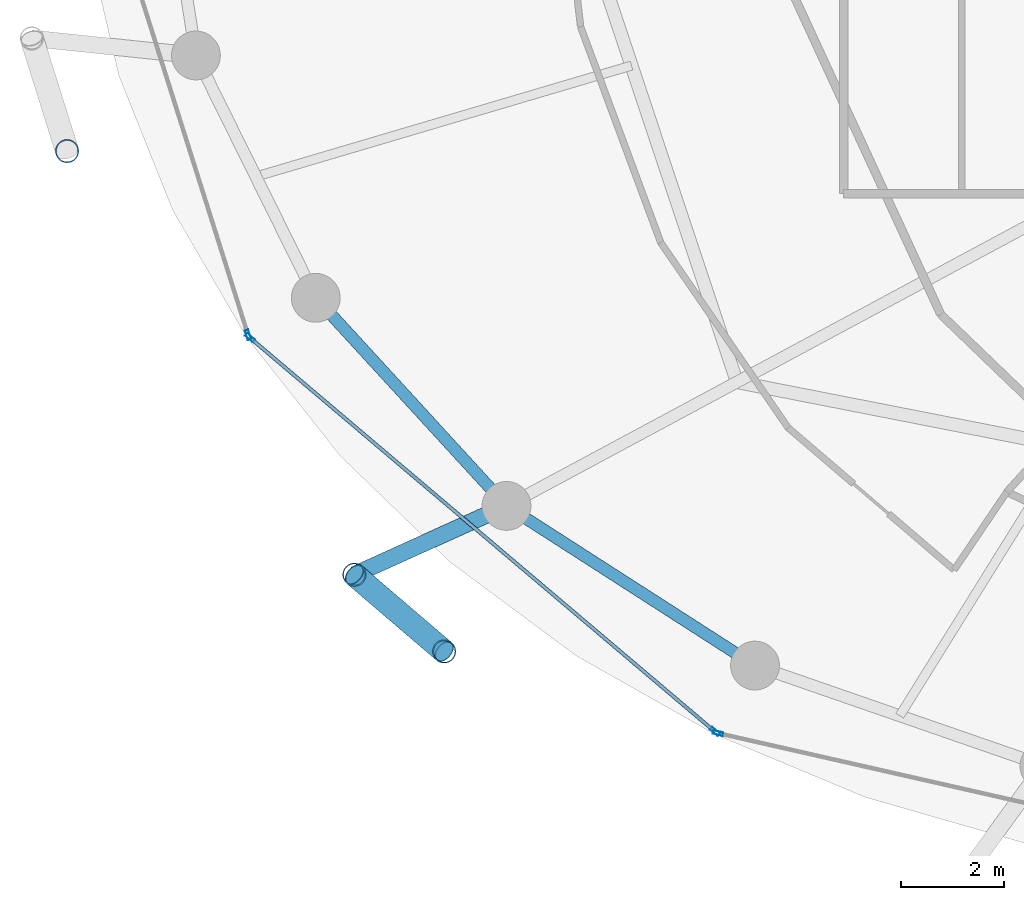
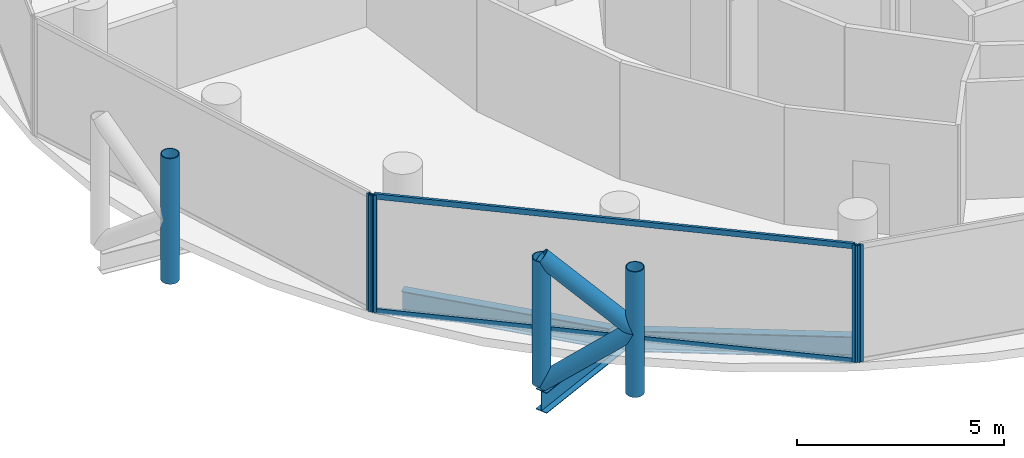
# One storey, part 2 of 26: 11 members, 3 beams, 3 elements without a shape of their own.
"""IFC4 building model written with IfcOpenShell, lengths in metres."""

from ifc_helpers import new_model, si_unit, direction, frame, origin, origin_2d, place, context, subcontext, project, spatial, hollow_rectangle, hollow_circle, i_section, extrude, material, layer, layer_set, material_profile, profile_set, type_object, element, aggregate, save


model = new_model("IFC4")

# Units and contexts
model_context = context("Model", 3, precision=1e-05, world=origin(), true_north=direction((0.0, 1.0)))
body_context = subcontext(model_context, "Body", "Model", "MODEL_VIEW")
ifc_project = project(units=[si_unit("LENGTHUNIT", "METRE"), si_unit("AREAUNIT", "SQUARE_METRE"), si_unit("VOLUMEUNIT", "CUBIC_METRE"), si_unit("PLANEANGLEUNIT", "RADIAN"), si_unit("MASSUNIT", "GRAM", prefix="KILO")], contexts=[model_context])

# Site, building, storey
site_placement = place(None, origin())
site = spatial("IfcSite", under=ifc_project, at=site_placement, CompositionType="ELEMENT")
building_placement = place(site_placement, origin())
building = spatial("IfcBuilding", under=site, at=building_placement, Name="Nuhasar Tower", CompositionType="ELEMENT")
storey_placement = place(building_placement, frame((0.0, 0.0, 177.449951171875)))
storey = spatial("IfcBuildingStorey", under=building, at=storey_placement, Name="L43", CompositionType="ELEMENT", Elevation=177.449951171875)

# Beams
ifc_material_1 = material(Name="Steel S355", Category="steel")
ifc_material_profile_1 = material_profile(ifc_material_1, i_section(OverallWidth=0.22998046875, OverallDepth=0.616943359375, WebThickness=0.01318359375, FlangeThickness=0.022216796875, at=origin_2d()), Name="W24X94")
ifc_profile_set_1 = profile_set([ifc_material_profile_1], Name="Steel S355")
beam_type_1 = type_object("IfcBeamType", Name="BM-RING-W24X94", PredefinedType="SPANDREL", material=ifc_profile_set_1)
beam_1_placement = place(storey_placement, frame((18.778076171875, 17.02490234375, -0.558837890625), z_axis=(0.675676316545, -0.737198423262, 0.0), x_axis=(0.737198423262, 0.675676316545, 0.0)))
element("IfcBeam", 1, at=beam_1_placement, inside=storey, type_object=beam_type_1, Name="L43 Perimeter Ring Spandrel 15", PredefinedType="SPANDREL", context=body_context, shape_type="SweptSolid", body=[
    extrude(i_section(OverallWidth=0.22998046875, OverallDepth=0.616943359375, WebThickness=0.01318359375, FlangeThickness=0.022216796875, at=origin_2d()), origin(), (0.0, 0.0, 1.0), 5.4921875),
])
beam_2_placement = place(storey_placement, frame((22.489013671875, 12.97607421875, -0.558837890625), z_axis=(0.841308170616, -0.540555789955, 0.0), x_axis=(0.540555789955, 0.841308170616, 0.0)))
element("IfcBeam", 2, at=beam_2_placement, inside=storey, type_object=beam_type_1, Name="L43 Perimeter Ring Spandrel 16", PredefinedType="SPANDREL", context=body_context, shape_type="SweptSolid", body=[
    extrude(i_section(OverallWidth=0.22998046875, OverallDepth=0.616943359375, WebThickness=0.01318359375, FlangeThickness=0.022216796875, at=origin_2d()), origin(), (0.0, 0.0, 1.0), 5.748046875),
])
ifc_material_profile_2 = material_profile(ifc_material_1, i_section(OverallWidth=0.323974609375, OverallDepth=0.611083984375, WebThickness=0.0126953125, FlangeThickness=0.01904296875, at=origin_2d()), Name="W24X104")
ifc_profile_set_2 = profile_set([ifc_material_profile_2], Name="Steel S355")
beam_type_2 = type_object("IfcBeamType", Name="BM-TIE-W24X104", PredefinedType="BEAM", material=ifc_profile_set_2)
beam_3_placement = place(storey_placement, frame((22.489013671875, 12.97607421875, -0.555908203125), z_axis=(-0.911211381786, -0.411939094653, 0.0), x_axis=(0.411939094653, -0.911211381786, 0.0)))
element("IfcBeam", 3, at=beam_3_placement, inside=storey, type_object=beam_type_2, Name="L43 Exoskeleton Node Tie Beam 08", PredefinedType="BEAM", context=body_context, shape_type="SweptSolid", body=[
    extrude(i_section(OverallWidth=0.323974609375, OverallDepth=0.611083984375, WebThickness=0.0126953125, FlangeThickness=0.01904296875, at=origin_2d()), origin(), (0.0, 0.0, 1.0), 3.248291015625),
])

# Curtain wall, member
ifc_material_2 = material(Name="Aluminium 6063-T6", Category="aluminium")
ifc_layer = layer(ifc_material_2, 0.199951171875)
ifc_layer_set = layer_set([ifc_layer], Name="Aluminium 6063-T6")
curtain_wall_type = type_object("IfcCurtainWallType", Name="CW-Z2-HTL", PredefinedType="NOTDEFINED", material=ifc_layer_set)
curtain_wall_1_placement = place(storey_placement, origin())
curtain_wall_1 = element("IfcCurtainWall", 4, at=curtain_wall_1_placement, inside=storey, type_object=curtain_wall_type, Name="L43 Unitised Curtain Wall 07", PredefinedType="NOTDEFINED")
ifc_material_profile_3 = material_profile(ifc_material_2, hollow_rectangle(XDim=0.070068359375, YDim=0.199951171875, WallThickness=0.0048828125, at=origin_2d()), Name="CWM-3")
ifc_profile_set_3 = profile_set([ifc_material_profile_3], Name="Aluminium 6063-T6")
member_type_1 = type_object("IfcMemberType", Name="CW-MUL-S3", PredefinedType="MULLION", material=ifc_profile_set_3)
member_1_placement = place(storey_placement, frame((17.46044921875, 16.303466796875, 0.0), z_axis=(0.0, 0.0, 1.0), x_axis=(0.953433389233, 0.301603667577, 0.0)))
member_1 = element("IfcMember", 5, at=member_1_placement, type_object=member_type_1, Name="CW-Z2 mullion 2", PredefinedType="MULLION", context=body_context, shape_type="SweptSolid", body=[
    extrude(hollow_rectangle(XDim=0.070068359375, YDim=0.199951171875, WallThickness=0.0048828125, at=origin_2d()), origin(), (0.0, 0.0, 1.0), 3.449951171875),
])
aggregate(curtain_wall_1, [member_1])

# Curtain wall, members
curtain_wall_2_placement = place(storey_placement, origin())
curtain_wall_2 = element("IfcCurtainWall", 6, at=curtain_wall_2_placement, inside=storey, type_object=curtain_wall_type, Name="L43 Unitised Curtain Wall 08", PredefinedType="NOTDEFINED")
member_2_placement = place(storey_placement, frame((17.497802734375, 16.247314453125, 0.0), z_axis=(0.0, 0.0, 1.0), x_axis=(0.646374438324, 0.763020370292, 0.0)))
member_2 = element("IfcMember", 7, at=member_2_placement, type_object=member_type_1, Name="CW-Z2 mullion 1", PredefinedType="MULLION", context=body_context, shape_type="SweptSolid", body=[
    extrude(hollow_rectangle(XDim=0.070068359375, YDim=0.199951171875, WallThickness=0.0048828125, at=origin_2d()), origin(), (0.0, 0.0, 1.0), 3.449951171875),
])
member_3_placement = place(storey_placement, frame((26.543212890625, 8.584716796875, 0.0), z_axis=(0.0, 0.0, 1.0), x_axis=(0.646374438324, 0.763020370292, 0.0)))
member_3 = element("IfcMember", 8, at=member_3_placement, type_object=member_type_1, Name="CW-Z2 mullion 2", PredefinedType="MULLION", context=body_context, shape_type="SweptSolid", body=[
    extrude(hollow_rectangle(XDim=0.070068359375, YDim=0.199951171875, WallThickness=0.0048828125, at=origin_2d()), origin(), (0.0, 0.0, 1.0), 3.449951171875),
])

# Curtain wall, member
curtain_wall_3_placement = place(storey_placement, origin())
curtain_wall_3 = element("IfcCurtainWall", 9, at=curtain_wall_3_placement, inside=storey, type_object=curtain_wall_type, Name="L43 Unitised Curtain Wall 09", PredefinedType="NOTDEFINED")
member_4_placement = place(storey_placement, frame((26.604248046875, 8.55419921875, 0.0), z_axis=(0.0, 0.0, 1.0), x_axis=(0.22139729566, 0.975183694221, 0.0)))
member_4 = element("IfcMember", 10, at=member_4_placement, type_object=member_type_1, Name="CW-Z2 mullion 1", PredefinedType="MULLION", context=body_context, shape_type="SweptSolid", body=[
    extrude(hollow_rectangle(XDim=0.070068359375, YDim=0.199951171875, WallThickness=0.0048828125, at=origin_2d()), origin(), (0.0, 0.0, 1.0), 3.449951171875),
])
aggregate(curtain_wall_3, [member_4])

# Member
ifc_material_profile_4 = material_profile(ifc_material_2, hollow_rectangle(XDim=0.070068359375, YDim=0.159912109375, WallThickness=0.00439453125, at=origin_2d()), Name="CWT-3")
ifc_profile_set_4 = profile_set([ifc_material_profile_4], Name="Aluminium 6063-T6")
member_type_2 = type_object("IfcMemberType", Name="CW-TRN-S3", PredefinedType="USERDEFINED", material=ifc_profile_set_4)
member_5_placement = place(storey_placement, frame((17.5244140625, 16.224853515625, 0.03515625), z_axis=(0.763013698099, -0.646382314511, 0.0), x_axis=(0.646382314511, 0.763013698099, 0.0)))
member_5 = element("IfcMember", 11, at=member_5_placement, type_object=member_type_2, Name="CW-Z2 transom 1.1", ObjectType="TRANSOM", PredefinedType="USERDEFINED", context=body_context, shape_type="SweptSolid", body=[
    extrude(hollow_rectangle(XDim=0.070068359375, YDim=0.159912109375, WallThickness=0.00439453125, at=origin_2d()), origin(), (0.0, 0.0, 1.0), 11.78515625),
])

member_6_placement = place(storey_placement, frame((17.5244140625, 16.224853515625, 3.4150390625), z_axis=(0.763013698099, -0.646382314511, 0.0), x_axis=(0.646382314511, 0.763013698099, 0.0)))
member_6 = element("IfcMember", 12, at=member_6_placement, type_object=member_type_2, Name="CW-Z2 transom 1.2", ObjectType="TRANSOM", PredefinedType="USERDEFINED", context=body_context, shape_type="SweptSolid", body=[
    extrude(hollow_rectangle(XDim=0.070068359375, YDim=0.159912109375, WallThickness=0.00439453125, at=origin_2d()), origin(), (0.0, 0.0, 1.0), 11.78515625),
])

aggregate(curtain_wall_2, [member_2, member_3, member_5, member_6])

# Members
ifc_material_3 = material(Name="Steel S460", Category="steel")
ifc_material_profile_5 = material_profile(ifc_material_3, hollow_circle(Radius=0.228515625, WallThickness=0.022216796875, at=origin_2d()), Name="HSS457X22.2")
ifc_profile_set_5 = profile_set([ifc_material_profile_5], Name="Steel S460")
member_type_3 = type_object("IfcMemberType", Name="EXO-BRONZE-457", PredefinedType="BRACE", material=ifc_profile_set_5)
for number, where, z_axis, x_axis, name in (
    (13, (13.93994140625, 19.87890625, 0.0), (0.0, 0.0, 1.0), (1.0, 0.0, 0.0), "L43 Exoskeleton Chord Column EC-07B"),
    (14, (19.529052734375, 11.637939453125, 0.0), (0.0, 0.0, 1.0), (1.0, 0.0, 0.0), "L43 Exoskeleton Chord Column EC-08A"),
    (15, (21.277099609375, 10.14306640625, 0.0), (0.0, 0.0, 1.0), (1.0, 0.0, 0.0), "L43 Exoskeleton Chord Column EC-08B"),
):
    element("IfcMember", number, at=place(storey_placement, frame(where, z_axis=z_axis, x_axis=x_axis)), inside=storey, type_object=member_type_3, Name=name, PredefinedType="BRACE", context=body_context, shape_type="SweptSolid", body=[
        extrude(hollow_circle(Radius=0.228515625, WallThickness=0.022216796875, at=origin_2d()), origin(), (0.0, 0.0, 1.0), 3.699951171875),
    ])
member_7_placement = place(storey_placement, frame((19.529052734375, 11.637939453125, 0.0), z_axis=(0.592195175458, -0.506426125604, 0.626767463634), x_axis=(0.649925557156, 0.7599978751, 0.0)))
element("IfcMember", 16, at=member_7_placement, inside=storey, type_object=member_type_3, Name="L43 Bronze Diagrid Brace W1-08", PredefinedType="BRACE", context=body_context, shape_type="SweptSolid", body=[
    extrude(hollow_circle(Radius=0.228515625, WallThickness=0.022216796875, at=origin_2d()), origin(), (0.0, 0.0, 1.0), 2.951904296875),
])
member_8_placement = place(storey_placement, frame((21.277099609375, 10.14306640625, 1.85009765625), z_axis=(-0.592225874743, 0.506452378638, 0.626717242029), x_axis=(-0.649925557156, -0.7599978751, 0.0)))
element("IfcMember", 17, at=member_8_placement, inside=storey, type_object=member_type_3, Name="L43 Bronze Diagrid Brace W2-08", PredefinedType="BRACE", context=body_context, shape_type="SweptSolid", body=[
    extrude(hollow_circle(Radius=0.228515625, WallThickness=0.022216796875, at=origin_2d()), origin(), (0.0, 0.0, 1.0), 2.95166015625),
])

save(model, "model.ifc")
